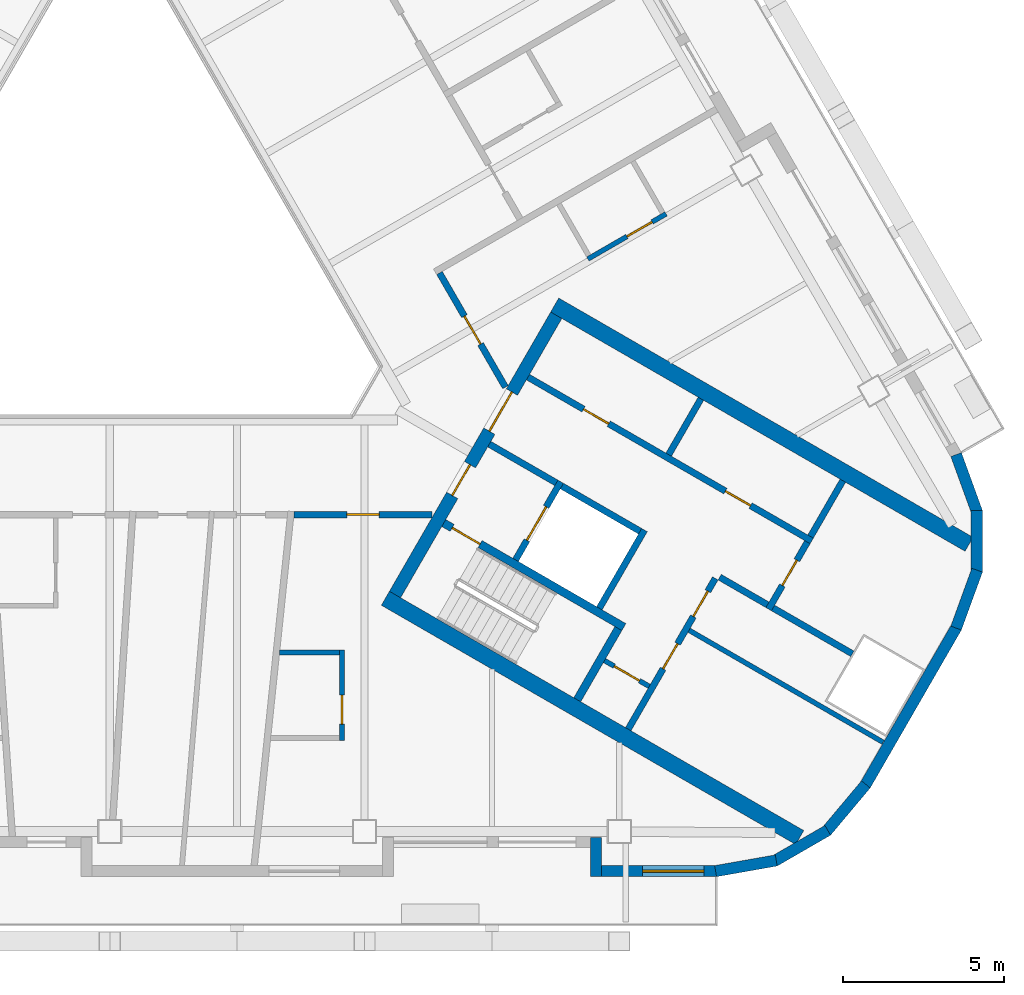
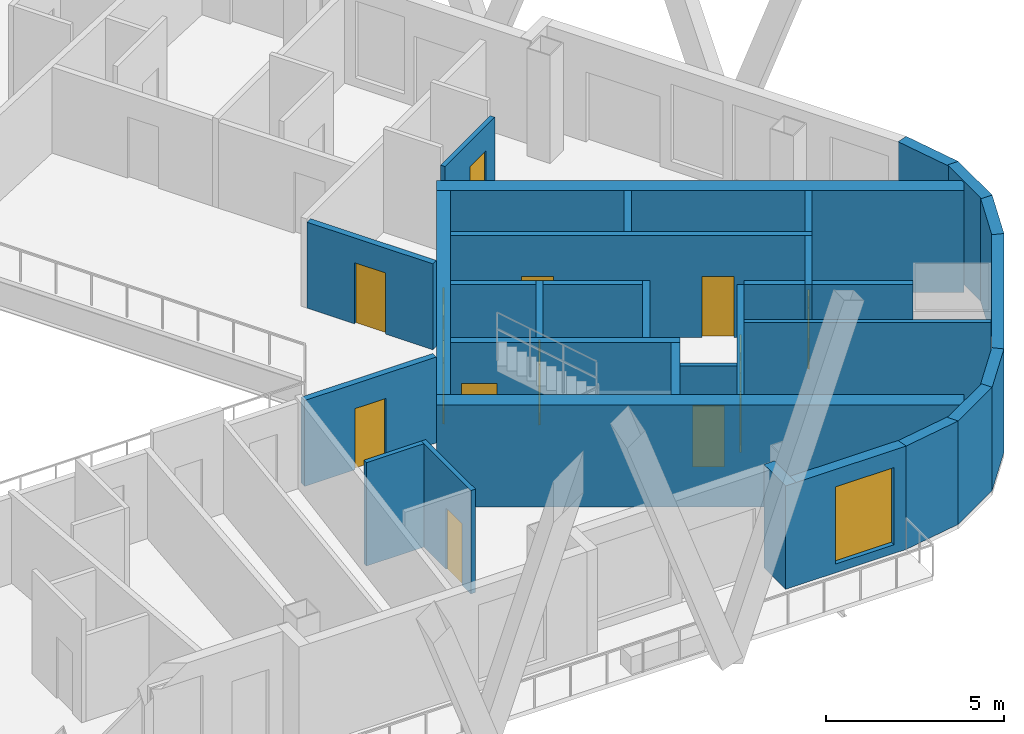
# One storey, part 5 of 14: 32 walls, 14 doors, 1 window, 15 openings.
"""IFC4 building model written with IfcOpenShell, lengths in metres."""

from ifc_helpers import new_model, si_unit, direction, frame, frame_2d, origin, place, context, subcontext, project, spatial, rectangle, extrude, material, layer, layer_set, type_object, element, fill, save


model = new_model("IFC4")

# Units and contexts
model_context = context("Model", 3, precision=1e-05, world=origin(), true_north=direction((0.0, 1.0)))
body_context = subcontext(model_context, "Body", "Model", "MODEL_VIEW")
ifc_project = project(units=[si_unit("LENGTHUNIT", "METRE"), si_unit("AREAUNIT", "SQUARE_METRE"), si_unit("VOLUMEUNIT", "CUBIC_METRE"), si_unit("PLANEANGLEUNIT", "RADIAN"), si_unit("MASSUNIT", "GRAM", prefix="KILO")], contexts=[model_context])

# Site, building, storey
site_placement = place(None, origin())
site = spatial("IfcSite", under=ifc_project, at=site_placement, CompositionType="ELEMENT")
building_placement = place(site_placement, origin())
building = spatial("IfcBuilding", under=site, at=building_placement, Name="Apuvela Tower Hotel", CompositionType="ELEMENT")
storey_placement = place(building_placement, frame((0.0, 0.0, 202.10009765625)))
storey = spatial("IfcBuildingStorey", under=building, at=storey_placement, Name="L49", CompositionType="ELEMENT", Elevation=202.10009765625)

# Wall, openings, doors
ifc_material_1 = material(Name="Concrete C50/60", Category="concrete")
ifc_layer_1 = layer(ifc_material_1, 0.39990234375)
ifc_layer_set_1 = layer_set([ifc_layer_1], Name="COR-WALL-CORE-400")
wall_type_1 = type_object("IfcWallType", Name="COR-WALL-CORE-400", PredefinedType="SHEAR", material=ifc_layer_set_1)
wall_1_placement = place(storey_placement, frame((8.844970703125, -10.880126953125, 0.0), z_axis=(0.0, 0.0, 1.0), x_axis=(0.500004234368, 0.866022959057, 0.0)))
wall_1 = element("IfcWall", 1, at=wall_1_placement, inside=storey, type_object=wall_type_1, Name="Core wall SE", PredefinedType="SHEAR", context=body_context, shape_type="SweptSolid", body=[
    extrude(rectangle(XDim=10.0, YDim=0.39990234375, at=frame_2d((5.0, 0.0))), origin(), (0.0, 0.0, 1.0), 3.5),
])
opening_1_placement = place(wall_1_placement, frame((3.550048828125, 0.0, 0.0)))
opening_1 = element("IfcOpeningElement", 2, at=opening_1_placement, cuts=wall_1, Name="Opening E-FD", PredefinedType="OPENING", context=body_context, shape_type="SweptSolid", body=[
    extrude(rectangle(XDim=1.10009765625, YDim=2.10009765625, at=frame_2d((0.550048828125, 1.050048828125))), frame((0.0, 0.2099609375, 0.0), z_axis=(0.0, -1.0, 0.0), x_axis=(1.0, 0.0, 0.0)), (0.0, 0.0, 1.0), 0.419921875),
])
opening_2_placement = place(wall_1_placement, frame((5.85009765625, 0.0, 0.0)))
opening_2 = element("IfcOpeningElement", 3, at=opening_2_placement, cuts=wall_1, Name="Opening E-GD", PredefinedType="OPENING", context=body_context, shape_type="SweptSolid", body=[
    extrude(rectangle(XDim=1.39990234375, YDim=2.10009765625, at=frame_2d((0.699951171875, 1.050048828125))), frame((0.0, 0.2099609375, 0.0), z_axis=(0.0, -1.0, 0.0), x_axis=(1.0, 0.0, 0.0)), (0.0, 0.0, 1.0), 0.419921875),
])
ifc_material_2 = material(Name="Steel fire door, powder coated", Category="steel")
door_type_1 = type_object("IfcDoorType", Name="COR-FD-1100", OperationType="NOTDEFINED", PredefinedType="DOOR", material=ifc_material_2)
door_1_placement = place(opening_1_placement, frame((1.10009765625, 0.0, 0.0), z_axis=(0.0, 0.0, 1.0), x_axis=(-1.0, 0.0, 0.0)))
door_1 = element("IfcDoor", 4, at=door_1_placement, inside=storey, type_object=door_type_1, Name="Firefighting lobby door E-FD", OperationType="SINGLE_SWING_LEFT", OverallHeight=2.10009765625, OverallWidth=1.10009765625, PredefinedType="DOOR", context=body_context, shape_type="SweptSolid", body=[
    extrude(rectangle(XDim=1.10009765625, YDim=2.10009765625, at=frame_2d((0.550048828125, 1.050048828125))), frame((0.0, 0.02490234375, 0.0), z_axis=(0.0, -1.0, 0.0), x_axis=(1.0, 0.0, 0.0)), (0.0, 0.0, 1.0), 0.050048828125),
])
fill(opening_1, door_1)
ifc_material_3 = material(Name="Glazed steel fire door", Category="steel")
door_type_2 = type_object("IfcDoorType", Name="COR-GD-1400", OperationType="DOUBLE_DOOR_SINGLE_SWING", PredefinedType="DOOR", material=ifc_material_3)
door_2_placement = place(opening_2_placement, frame((1.39990234375, 0.0, 0.0), z_axis=(0.0, 0.0, 1.0), x_axis=(-1.0, 0.0, 0.0)))
door_2 = element("IfcDoor", 5, at=door_2_placement, inside=storey, type_object=door_type_2, Name="Lift lobby door E-GD", OperationType="DOUBLE_DOOR_SINGLE_SWING", OverallHeight=2.10009765625, OverallWidth=1.39990234375, PredefinedType="DOOR", context=body_context, shape_type="SweptSolid", body=[
    extrude(rectangle(XDim=1.39990234375, YDim=2.10009765625, at=frame_2d((0.699951171875, 1.050048828125))), frame((0.0, 0.02490234375, 0.0), z_axis=(0.0, -1.0, 0.0), x_axis=(1.0, 0.0, 0.0)), (0.0, 0.0, 1.0), 0.050048828125),
])
fill(opening_2, door_2)

# Walls
ifc_layer_2 = layer(ifc_material_1, 0.5)
ifc_layer_set_2 = layer_set([ifc_layer_2], Name="COR-WALL-CORE-500")
wall_type_2 = type_object("IfcWallType", Name="COR-WALL-CORE-500", PredefinedType="SHEAR", material=ifc_layer_set_2)
for number, where, z_axis, x_axis, name in (
    (6, (8.546630859375, -10.99658203125, 0.0), (0.0, 0.0, 1.0), (0.866025009528, -0.500000682871, 0.0), "Core wall SE"),
    (7, (13.796630859375, -1.9033203125, 0.0), (0.0, 0.0, 1.0), (0.866025009528, -0.500000682871, 0.0), "Core wall SE"),
):
    element("IfcWall", number, at=place(storey_placement, frame(where, z_axis=z_axis, x_axis=x_axis)), inside=storey, type_object=wall_type_2, Name=name, PredefinedType="SHEAR", context=body_context, shape_type="SweptSolid", body=[
        extrude(rectangle(XDim=14.8369140625, YDim=0.5, at=frame_2d((7.41845703125, 0.0))), origin(), (0.0, 0.0, 1.0), 3.5),
    ])

# Wall, opening, door
ifc_material_4 = material(Name="Blockwork 150 mm plastered", Category="masonry")
ifc_layer_3 = layer(ifc_material_4, 0.14990234375)
ifc_layer_set_3 = layer_set([ifc_layer_3], Name="COR-WALL-PART-150")
wall_type_3 = type_object("IfcWallType", Name="COR-WALL-PART-150", PredefinedType="PARTITIONING", material=ifc_layer_set_3)
wall_2_placement = place(storey_placement, frame((15.341552734375, -12.927734375, 0.0), z_axis=(0.0, 0.0, 1.0), x_axis=(0.865989903783, -0.500061482766, 0.0)))
wall_2 = element("IfcWall", 8, at=wall_2_placement, inside=storey, type_object=wall_type_3, Name="Partition SE", PredefinedType="PARTITIONING", context=body_context, shape_type="SweptSolid", body=[
    extrude(rectangle(XDim=1.599853515625, YDim=0.14990234375, at=frame_2d((0.7998046875, 0.0))), origin(), (0.0, 0.0, 1.0), 3.5),
])
opening_3_placement = place(wall_2_placement, frame((0.35009765625, 0.0, 0.0)))
opening_3 = element("IfcOpeningElement", 9, at=opening_3_placement, cuts=wall_2, Name="Opening E-RD", PredefinedType="OPENING", context=body_context, shape_type="SweptSolid", body=[
    extrude(rectangle(XDim=0.89990234375, YDim=2.10009765625, at=frame_2d((0.449951171875, 1.050048828125))), frame((0.0, 0.0849609375, 0.0), z_axis=(0.0, -1.0, 0.0), x_axis=(1.0, 0.0, 0.0)), (0.0, 0.0, 1.0), 0.169921875),
])
ifc_material_5 = material(Name="Steel access door, powder coated", Category="steel")
door_type_3 = type_object("IfcDoorType", Name="COR-RD-900", OperationType="NOTDEFINED", PredefinedType="DOOR", material=ifc_material_5)
door_3_placement = place(opening_3_placement, frame((0.89990234375, 0.0, 0.0), z_axis=(0.0, 0.0, 1.0), x_axis=(-1.0, 0.0, 0.0)))
door_3 = element("IfcDoor", 10, at=door_3_placement, inside=storey, type_object=door_type_3, Name="Riser door E-RD", OperationType="SINGLE_SWING_LEFT", OverallHeight=2.10009765625, OverallWidth=0.89990234375, PredefinedType="DOOR", context=body_context, shape_type="SweptSolid", body=[
    extrude(rectangle(XDim=0.89990234375, YDim=2.10009765625, at=frame_2d((0.449951171875, 1.050048828125))), frame((0.0, 0.02490234375, 0.0), z_axis=(0.0, -1.0, 0.0), x_axis=(1.0, 0.0, 0.0)), (0.0, 0.0, 1.0), 0.050048828125),
])
fill(opening_3, door_3)

# Wall
wall_3_placement = place(storey_placement, frame((17.962890625, -11.9873046875, 0.0), z_axis=(0.0, 0.0, 1.0), x_axis=(0.866016523273, -0.500015381182, 0.0)))
element("IfcWall", 11, at=wall_3_placement, inside=storey, type_object=wall_type_3, Name="Partition SE", PredefinedType="PARTITIONING", context=body_context, shape_type="SweptSolid", body=[
    extrude(rectangle(XDim=6.949951171875, YDim=0.14990234375, at=frame_2d((3.47509765625, 0.0))), origin(), (0.0, 0.0, 1.0), 3.5),
])

# Wall, openings, doors
ifc_material_6 = material(Name="Blockwork 200 mm plastered", Category="masonry")
ifc_layer_4 = layer(ifc_material_6, 0.199951171875)
ifc_layer_set_4 = layer_set([ifc_layer_4], Name="COR-WALL-PART-200")
wall_type_4 = type_object("IfcWallType", Name="COR-WALL-PART-200", PredefinedType="PARTITIONING", material=ifc_layer_set_4)
wall_4_placement = place(storey_placement, frame((16.076171875, -15.05517578125, 0.0), z_axis=(0.0, 0.0, 1.0), x_axis=(0.499995103361, 0.866028230842, 0.0)))
wall_4 = element("IfcWall", 12, at=wall_4_placement, inside=storey, type_object=wall_type_4, Name="Partition SE", PredefinedType="PARTITIONING", context=body_context, shape_type="SweptSolid", body=[
    extrude(rectangle(XDim=5.39990234375, YDim=0.199951171875, at=frame_2d((2.699951171875, 0.0))), origin(), (0.0, 0.0, 1.0), 3.5),
])
opening_4_placement = place(wall_4_placement, frame((2.16259765625, 0.0, 0.0)))
opening_4 = element("IfcOpeningElement", 13, at=opening_4_placement, cuts=wall_4, Name="Opening E-RS1", PredefinedType="OPENING", context=body_context, shape_type="SweptSolid", body=[
    extrude(rectangle(XDim=0.89990234375, YDim=2.10009765625, at=frame_2d((0.449951171875, 1.050048828125))), frame((0.0, 0.10986328125, 0.0), z_axis=(0.0, -1.0, 0.0), x_axis=(1.0, 0.0, 0.0)), (0.0, 0.0, 1.0), 0.219970703125),
])
opening_5_placement = place(wall_4_placement, frame((4.03759765625, 0.0, 0.0)))
opening_5 = element("IfcOpeningElement", 14, at=opening_5_placement, cuts=wall_4, Name="Opening E-RS2", PredefinedType="OPENING", context=body_context, shape_type="SweptSolid", body=[
    extrude(rectangle(XDim=0.89990234375, YDim=2.10009765625, at=frame_2d((0.449951171875, 1.050048828125))), frame((0.0, 0.10986328125, 0.0), z_axis=(0.0, -1.0, 0.0), x_axis=(1.0, 0.0, 0.0)), (0.0, 0.0, 1.0), 0.219970703125),
])
door_type_4 = type_object("IfcDoorType", Name="COR-DR-900", OperationType="NOTDEFINED", PredefinedType="DOOR", material=ifc_material_2)
door_4_placement = place(opening_4_placement, frame((0.89990234375, 0.0, 0.0), z_axis=(0.0, 0.0, 1.0), x_axis=(-1.0, 0.0, 0.0)))
door_4 = element("IfcDoor", 15, at=door_4_placement, inside=storey, type_object=door_type_4, Name="Store door E-RS1", OperationType="SINGLE_SWING_LEFT", OverallHeight=2.10009765625, OverallWidth=0.89990234375, PredefinedType="DOOR", context=body_context, shape_type="SweptSolid", body=[
    extrude(rectangle(XDim=0.89990234375, YDim=2.10009765625, at=frame_2d((0.449951171875, 1.050048828125))), frame((0.0, 0.02490234375, 0.0), z_axis=(0.0, -1.0, 0.0), x_axis=(1.0, 0.0, 0.0)), (0.0, 0.0, 1.0), 0.050048828125),
])
fill(opening_4, door_4)
door_5_placement = place(opening_5_placement, frame((0.89990234375, 0.0, 0.0), z_axis=(0.0, 0.0, 1.0), x_axis=(-1.0, 0.0, 0.0)))
door_5 = element("IfcDoor", 16, at=door_5_placement, inside=storey, type_object=door_type_4, Name="Store door E-RS2", OperationType="SINGLE_SWING_LEFT", OverallHeight=2.10009765625, OverallWidth=0.89990234375, PredefinedType="DOOR", context=body_context, shape_type="SweptSolid", body=[
    extrude(rectangle(XDim=0.89990234375, YDim=2.10009765625, at=frame_2d((0.449951171875, 1.050048828125))), frame((0.0, 0.02490234375, 0.0), z_axis=(0.0, -1.0, 0.0), x_axis=(1.0, 0.0, 0.0)), (0.0, 0.0, 1.0), 0.050048828125),
])
fill(opening_5, door_5)

# Wall
ifc_layer_5 = layer(ifc_material_1, 0.199951171875)
ifc_layer_set_5 = layer_set([ifc_layer_5], Name="COR-WALL-SHAFT-200")
wall_type_5 = type_object("IfcWallType", Name="COR-WALL-SHAFT-200", PredefinedType="SHEAR", material=ifc_layer_set_5)
wall_5_placement = place(storey_placement, frame((15.181396484375, -11.305419921875, 0.0), z_axis=(0.0, 0.0, 1.0), x_axis=(0.49994636267, 0.866056369097, 0.0)))
element("IfcWall", 17, at=wall_5_placement, inside=storey, type_object=wall_type_5, Name="Shaft wall SE", PredefinedType="SHEAR", context=body_context, shape_type="SweptSolid", body=[
    extrude(rectangle(XDim=2.800048828125, YDim=0.199951171875, at=frame_2d((1.39990234375, 0.0))), origin(), (0.0, 0.0, 1.0), 3.5),
])

# Wall, opening, door
wall_6_placement = place(storey_placement, frame((12.583251953125, -9.805419921875, 0.0), z_axis=(0.0, 0.0, 1.0), x_axis=(0.49994636267, 0.866056369097, 0.0)))
wall_6 = element("IfcWall", 18, at=wall_6_placement, inside=storey, type_object=wall_type_5, Name="Shaft wall SE", PredefinedType="SHEAR", context=body_context, shape_type="SweptSolid", body=[
    extrude(rectangle(XDim=2.800048828125, YDim=0.199951171875, at=frame_2d((1.39990234375, 0.0))), origin(), (0.0, 0.0, 1.0), 3.5),
])
opening_6_placement = place(wall_6_placement, frame((0.699951171875, 0.0, 0.0)))
opening_6 = element("IfcOpeningElement", 19, at=opening_6_placement, cuts=wall_6, Name="Opening E-LD-FS3", PredefinedType="OPENING", context=body_context, shape_type="SweptSolid", body=[
    extrude(rectangle(XDim=1.199951171875, YDim=2.10009765625, at=frame_2d((0.60009765625, 1.050048828125))), frame((0.0, 0.10986328125, 0.0), z_axis=(0.0, -1.0, 0.0), x_axis=(1.0, 0.0, 0.0)), (0.0, 0.0, 1.0), 0.219970703125),
])
ifc_material_7 = material(Name="Stainless steel lift landing door", Category="steel")
door_type_5 = type_object("IfcDoorType", Name="COR-LD-1200", OperationType="DOUBLE_DOOR_SLIDING", PredefinedType="DOOR", material=ifc_material_7)
door_6_placement = place(opening_6_placement, origin())
door_6 = element("IfcDoor", 20, at=door_6_placement, inside=storey, type_object=door_type_5, Name="Lift landing door E-LD-FS3", OperationType="DOUBLE_DOOR_SLIDING", OverallHeight=2.10009765625, OverallWidth=1.199951171875, PredefinedType="DOOR", context=body_context, shape_type="SweptSolid", body=[
    extrude(rectangle(XDim=1.199951171875, YDim=2.10009765625, at=frame_2d((0.60009765625, 1.050048828125))), frame((0.0, 0.02490234375, 0.0), z_axis=(0.0, -1.0, 0.0), x_axis=(1.0, 0.0, 0.0)), (0.0, 0.0, 1.0), 0.050048828125),
])
fill(opening_6, door_6)

# Walls
wall_7_placement = place(storey_placement, frame((11.76806640625, -6.217041015625, 0.0), z_axis=(0.0, 0.0, 1.0), x_axis=(0.866050077142, -0.499957262057, 0.0)))
element("IfcWall", 21, at=wall_7_placement, inside=storey, type_object=wall_type_5, Name="Shaft wall SE", PredefinedType="SHEAR", context=body_context, shape_type="SweptSolid", body=[
    extrude(rectangle(XDim=2.400146484375, YDim=0.199951171875, at=frame_2d((1.2001953125, 0.0))), origin(), (0.0, 0.0, 1.0), 3.5),
])
wall_8_placement = place(storey_placement, frame((14.019775390625, -7.51708984375, 0.0), z_axis=(0.0, 0.0, 1.0), x_axis=(0.866034573852, -0.49998411664, 0.0)))
element("IfcWall", 22, at=wall_8_placement, inside=storey, type_object=wall_type_5, Name="Shaft wall SE", PredefinedType="SHEAR", context=body_context, shape_type="SweptSolid", body=[
    extrude(rectangle(XDim=2.7998046875, YDim=0.199951171875, at=frame_2d((1.39990234375, 0.0))), origin(), (0.0, 0.0, 1.0), 3.5),
])

# Wall, openings, doors
wall_9_placement = place(storey_placement, frame((12.968017578125, -4.138427734375, 0.0), z_axis=(0.0, 0.0, 1.0), x_axis=(0.866028328073, -0.49999493495, 0.0)))
wall_9 = element("IfcWall", 23, at=wall_9_placement, inside=storey, type_object=wall_type_5, Name="Shaft wall SE", PredefinedType="SHEAR", context=body_context, shape_type="SweptSolid", body=[
    extrude(rectangle(XDim=10.16015625, YDim=0.199951171875, at=frame_2d((5.080078125, 0.0))), origin(), (0.0, 0.0, 1.0), 3.5),
])
opening_7_placement = place(wall_9_placement, frame((1.989990234375, 0.0, 0.0)))
opening_7 = element("IfcOpeningElement", 24, at=opening_7_placement, cuts=wall_9, Name="Opening E-RE1", PredefinedType="OPENING", context=body_context, shape_type="SweptSolid", body=[
    extrude(rectangle(XDim=0.89990234375, YDim=2.10009765625, at=frame_2d((0.449951171875, 1.050048828125))), frame((0.0, 0.10986328125, 0.0), z_axis=(0.0, -1.0, 0.0), x_axis=(1.0, 0.0, 0.0)), (0.0, 0.0, 1.0), 0.219970703125),
])
opening_8_placement = place(wall_9_placement, frame((7.070068359375, 0.0, 0.0)))
opening_8 = element("IfcOpeningElement", 25, at=opening_8_placement, cuts=wall_9, Name="Opening E-RE3", PredefinedType="OPENING", context=body_context, shape_type="SweptSolid", body=[
    extrude(rectangle(XDim=0.89990234375, YDim=2.10009765625, at=frame_2d((0.449951171875, 1.050048828125))), frame((0.0, 0.10986328125, 0.0), z_axis=(0.0, -1.0, 0.0), x_axis=(1.0, 0.0, 0.0)), (0.0, 0.0, 1.0), 0.219970703125),
])
door_7_placement = place(opening_7_placement, origin())
door_7 = element("IfcDoor", 26, at=door_7_placement, inside=storey, type_object=door_type_4, Name="Store door E-RE1", OperationType="SINGLE_SWING_LEFT", OverallHeight=2.10009765625, OverallWidth=0.89990234375, PredefinedType="DOOR", context=body_context, shape_type="SweptSolid", body=[
    extrude(rectangle(XDim=0.89990234375, YDim=2.10009765625, at=frame_2d((0.449951171875, 1.050048828125))), frame((0.0, 0.02490234375, 0.0), z_axis=(0.0, -1.0, 0.0), x_axis=(1.0, 0.0, 0.0)), (0.0, 0.0, 1.0), 0.050048828125),
])
fill(opening_7, door_7)
door_8_placement = place(opening_8_placement, origin())
door_8 = element("IfcDoor", 27, at=door_8_placement, inside=storey, type_object=door_type_4, Name="Store door E-RE3", OperationType="SINGLE_SWING_LEFT", OverallHeight=2.10009765625, OverallWidth=0.89990234375, PredefinedType="DOOR", context=body_context, shape_type="SweptSolid", body=[
    extrude(rectangle(XDim=0.89990234375, YDim=2.10009765625, at=frame_2d((0.449951171875, 1.050048828125))), frame((0.0, 0.02490234375, 0.0), z_axis=(0.0, -1.0, 0.0), x_axis=(1.0, 0.0, 0.0)), (0.0, 0.0, 1.0), 0.050048828125),
])
fill(opening_8, door_8)

# Wall, opening, door
wall_10_placement = place(storey_placement, frame((20.430419921875, -11.33349609375, 0.0), z_axis=(0.0, 0.0, 1.0), x_axis=(0.500001309137, 0.866024647952, 0.0)))
wall_10 = element("IfcWall", 28, at=wall_10_placement, inside=storey, type_object=wall_type_5, Name="Shaft wall SE", PredefinedType="SHEAR", context=body_context, shape_type="SweptSolid", body=[
    extrude(rectangle(XDim=2.39990234375, YDim=0.199951171875, at=frame_2d((1.199951171875, 0.0))), origin(), (0.0, 0.0, 1.0), 3.5),
])
opening_9_placement = place(wall_10_placement, frame((0.85009765625, 0.0, 0.0)))
opening_9 = element("IfcOpeningElement", 29, at=opening_9_placement, cuts=wall_10, Name="Opening E-REP", PredefinedType="OPENING", context=body_context, shape_type="SweptSolid", body=[
    extrude(rectangle(XDim=0.89990234375, YDim=2.10009765625, at=frame_2d((0.449951171875, 1.050048828125))), frame((0.0, 0.10986328125, 0.0), z_axis=(0.0, -1.0, 0.0), x_axis=(1.0, 0.0, 0.0)), (0.0, 0.0, 1.0), 0.219970703125),
])
door_9_placement = place(opening_9_placement, frame((0.89990234375, 0.0, 0.0), z_axis=(0.0, 0.0, 1.0), x_axis=(-1.0, 0.0, 0.0)))
door_9 = element("IfcDoor", 30, at=door_9_placement, inside=storey, type_object=door_type_4, Name="Store door E-REP", OperationType="SINGLE_SWING_RIGHT", OverallHeight=2.10009765625, OverallWidth=0.89990234375, PredefinedType="DOOR", context=body_context, shape_type="SweptSolid", body=[
    extrude(rectangle(XDim=0.89990234375, YDim=2.10009765625, at=frame_2d((0.449951171875, 1.050048828125))), frame((0.0, 0.02490234375, 0.0), z_axis=(0.0, -1.0, 0.0), x_axis=(1.0, 0.0, 0.0)), (0.0, 0.0, 1.0), 0.050048828125),
])
fill(opening_9, door_9)

# Walls
wall_11_placement = place(storey_placement, frame((18.912841796875, -10.342041015625, 0.0), z_axis=(0.0, 0.0, 1.0), x_axis=(0.866038183914, -0.499977863513, 0.0)))
element("IfcWall", 31, at=wall_11_placement, inside=storey, type_object=wall_type_5, Name="Shaft wall SE", PredefinedType="SHEAR", context=body_context, shape_type="SweptSolid", body=[
    extrude(rectangle(XDim=1.7099609375, YDim=0.199951171875, at=frame_2d((0.85498046875, 0.0))), origin(), (0.0, 0.0, 1.0), 3.5),
])
for number, where, z_axis, x_axis, name in (
    (32, (17.330810546875, -6.5419921875, 0.0), (0.0, 0.0, 1.0), (0.499972520799, 0.866041268327, 0.0), "Shaft wall SE"),
    (33, (21.73046875, -9.081787109375, 0.0), (0.0, 0.0, 1.0), (0.50002537861, 0.866010750942, 0.0), "Shaft wall SE"),
):
    element("IfcWall", number, at=place(storey_placement, frame(where, z_axis=z_axis, x_axis=x_axis)), inside=storey, type_object=wall_type_5, Name=name, PredefinedType="SHEAR", context=body_context, shape_type="SweptSolid", body=[
        extrude(rectangle(XDim=2.0, YDim=0.199951171875, at=frame_2d((1.0, 0.0))), origin(), (0.0, 0.0, 1.0), 3.5),
    ])
wall_12_placement = place(storey_placement, frame((20.56689453125, -11.297119140625, 0.0), z_axis=(0.0, 0.0, 1.0), x_axis=(0.866055327414, -0.49994816717, 0.0)))
element("IfcWall", 34, at=wall_12_placement, inside=storey, type_object=wall_type_5, Name="Shaft wall SE", PredefinedType="SHEAR", context=body_context, shape_type="SweptSolid", body=[
    extrude(rectangle(XDim=2.840087890625, YDim=0.199951171875, at=frame_2d((1.419921875, 0.0))), origin(), (0.0, 0.0, 1.0), 3.5),
])

# Wall, opening, door
ifc_layer_6 = layer(ifc_material_1, 0.25)
ifc_layer_set_6 = layer_set([ifc_layer_6], Name="COR-WALL-STAIR-250")
wall_type_6 = type_object("IfcWallType", Name="COR-WALL-STAIR-250", PredefinedType="SHEAR", material=ifc_layer_set_6)
wall_13_placement = place(storey_placement, frame((10.355712890625, -8.66357421875, 0.0), z_axis=(0.0, 0.0, 1.0), x_axis=(0.866028629588, -0.499994412703, 0.0)))
wall_13 = element("IfcWall", 35, at=wall_13_placement, inside=storey, type_object=wall_type_6, Name="Stair wall SE", PredefinedType="SHEAR", context=body_context, shape_type="SweptSolid", body=[
    extrude(rectangle(XDim=6.44970703125, YDim=0.25, at=frame_2d((3.224853515625, 0.0))), origin(), (0.0, 0.0, 1.0), 3.5),
])
opening_10_placement = place(wall_13_placement, frame((0.300048828125, 0.0, 0.0)))
opening_10 = element("IfcOpeningElement", 36, at=opening_10_placement, cuts=wall_13, Name="Opening E-SD", PredefinedType="OPENING", context=body_context, shape_type="SweptSolid", body=[
    extrude(rectangle(XDim=1.0, YDim=2.10009765625, at=frame_2d((0.5, 1.050048828125))), frame((0.0, 0.135009765625, 0.0), z_axis=(0.0, -1.0, 0.0), x_axis=(1.0, 0.0, 0.0)), (0.0, 0.0, 1.0), 0.27001953125),
])
door_type_6 = type_object("IfcDoorType", Name="COR-SD-1000", OperationType="NOTDEFINED", PredefinedType="DOOR", material=ifc_material_2)
door_10_placement = place(opening_10_placement, frame((1.0, 0.0, 0.0), z_axis=(0.0, 0.0, 1.0), x_axis=(-1.0, 0.0, 0.0)))
door_10 = element("IfcDoor", 37, at=door_10_placement, inside=storey, type_object=door_type_6, Name="Stair door E-SD", OperationType="SINGLE_SWING_LEFT", OverallHeight=2.10009765625, OverallWidth=1.0, PredefinedType="DOOR", context=body_context, shape_type="SweptSolid", body=[
    extrude(rectangle(XDim=1.0, YDim=2.10009765625, at=frame_2d((0.5, 1.050048828125))), frame((0.0, 0.02490234375, 0.0), z_axis=(0.0, -1.0, 0.0), x_axis=(1.0, 0.0, 0.0)), (0.0, 0.0, 1.0), 0.050048828125),
])
fill(opening_10, door_10)

# Walls
wall_14_placement = place(storey_placement, frame((14.49560546875, -14.142578125, 0.0), z_axis=(0.0, 0.0, 1.0), x_axis=(0.500062241894, 0.865989465428, 0.0)))
element("IfcWall", 38, at=wall_14_placement, inside=storey, type_object=wall_type_6, Name="Stair wall SE", PredefinedType="SHEAR", context=body_context, shape_type="SweptSolid", body=[
    extrude(rectangle(XDim=2.550048828125, YDim=0.25, at=frame_2d((1.27490234375, 0.0))), origin(), (0.0, 0.0, 1.0), 3.5),
])
ifc_material_8 = material(Name="Concrete C40/50, dark pigmented precast panel", Category="concrete")
ifc_layer_7 = layer(ifc_material_8, 0.35009765625)
ifc_layer_set_7 = layer_set([ifc_layer_7], Name="ENV-WALL-350")
wall_type_7 = type_object("IfcWallType", Name="ENV-WALL-350", PredefinedType="SOLIDWALL", material=ifc_layer_set_7)
wall_15_placement = place(storey_placement, frame((15.074951171875, -18.409912109375, 0.0), z_axis=(0.0, 0.0, 1.0), x_axis=(0.0, -1.0, 0.0)))
element("IfcWall", 39, at=wall_15_placement, inside=storey, type_object=wall_type_7, Name="External wall L49-24", PredefinedType="SOLIDWALL", context=body_context, shape_type="SweptSolid", body=[
    extrude(rectangle(XDim=1.219970703125, YDim=0.35009765625, at=frame_2d((0.60986328125, 0.0))), origin(), (0.0, 0.0, 1.0), 3.5498046875),
])

# Wall, opening, window
wall_16_placement = place(storey_placement, frame((14.89990234375, -19.455078125, 0.0), z_axis=(0.0, 0.0, 1.0), x_axis=(1.0, 0.0, 0.0)))
wall_16 = element("IfcWall", 40, at=wall_16_placement, inside=storey, type_object=wall_type_7, Name="External wall L49-25", PredefinedType="SOLIDWALL", context=body_context, shape_type="SweptSolid", body=[
    extrude(rectangle(XDim=3.916015625, YDim=0.35009765625, at=frame_2d((1.9580078125, 0.0))), origin(), (0.0, 0.0, 1.0), 3.5498046875),
])
opening_11_placement = place(wall_16_placement, frame((1.624755859375, 0.0, 0.300048828125)))
opening_11 = element("IfcOpeningElement", 41, at=opening_11_placement, cuts=wall_16, Name="Opening WN19", PredefinedType="OPENING", context=body_context, shape_type="SweptSolid", body=[
    extrude(rectangle(XDim=1.89990234375, YDim=2.64990234375, at=frame_2d((0.949951171875, 1.324951171875))), frame((0.0, 0.18505859375, 0.0), z_axis=(0.0, -1.0, 0.0), x_axis=(1.0, 0.0, 0.0)), (0.0, 0.0, 1.0), 0.3701171875),
])
ifc_material_9 = material(Name="Glass, dark tinted laminated insulated glazing unit", Category="glass")
window_type = type_object("IfcWindowType", Name="ENV-WIN-1900x2650", PartitioningType="SINGLE_PANEL", PredefinedType="WINDOW", material=ifc_material_9)
window_placement = place(opening_11_placement, origin())
window = element("IfcWindow", 42, at=window_placement, inside=storey, type_object=window_type, Name="Window WN19", OverallHeight=2.64990234375, OverallWidth=1.89990234375, PartitioningType="SINGLE_PANEL", PredefinedType="WINDOW", context=body_context, shape_type="SweptSolid", body=[
    extrude(rectangle(XDim=1.89990234375, YDim=2.64990234375, at=frame_2d((0.949951171875, 1.324951171875))), frame((0.0, 0.030029296875, 0.0), z_axis=(0.0, -1.0, 0.0), x_axis=(1.0, 0.0, 0.0)), (0.0, 0.0, 1.0), 0.06005859375),
])
fill(opening_11, window)

# Walls
wall_17_placement = place(storey_placement, frame((18.785400390625, -19.457763671875, 0.0), z_axis=(0.0, 0.0, 1.0), x_axis=(0.984798995425, 0.173697837091, 0.0)))
element("IfcWall", 43, at=wall_17_placement, inside=storey, type_object=wall_type_7, Name="External wall L49-26", PredefinedType="SOLIDWALL", context=body_context, shape_type="SweptSolid", body=[
    extrude(rectangle(XDim=1.91015625, YDim=0.35009765625, at=frame_2d((0.955078125, 0.0))), origin(), (0.0, 0.0, 1.0), 3.5498046875),
])
for number, where, z_axis, x_axis, name in (
    (44, (20.609619140625, -19.146728515625, 0.0), (0.0, 0.0, 1.0), (0.866000389056, 0.500043324278, 0.0), "External wall L49-27"),
    (45, (22.21728515625, -18.230712890625, 0.0), (0.0, 0.0, 1.0), (0.642733291068, 0.76609001857, 0.0), "External wall L49-28"),
):
    element("IfcWall", number, at=place(storey_placement, frame(where, z_axis=z_axis, x_axis=x_axis)), inside=storey, type_object=wall_type_7, Name=name, PredefinedType="SOLIDWALL", context=body_context, shape_type="SweptSolid", body=[
        extrude(rectangle(XDim=1.909912109375, YDim=0.35009765625, at=frame_2d((0.955078125, 0.0))), origin(), (0.0, 0.0, 1.0), 3.5498046875),
    ])
wall_18_placement = place(storey_placement, frame((23.427490234375, -16.79248046875, 0.0), z_axis=(0.0, 0.0, 1.0), x_axis=(0.500018773155, 0.866014564827, 0.0)))
element("IfcWall", 46, at=wall_18_placement, inside=storey, type_object=wall_type_7, Name="External wall L49-29", PredefinedType="SOLIDWALL", context=body_context, shape_type="SweptSolid", body=[
    extrude(rectangle(XDim=5.657958984375, YDim=0.35009765625, at=frame_2d((2.8291015625, 0.0))), origin(), (0.0, 0.0, 1.0), 3.5498046875),
])
for number, where, z_axis, x_axis, name in (
    (47, (26.24365234375, -11.920166015625, 0.0), (0.0, 0.0, 1.0), (0.342030395486, 0.939688889242, 0.0), "External wall L49-30"),
    (48, (26.88623046875, -10.18505859375, 0.0), (0.0, 0.0, 1.0), (0.0, 1.0, 0.0), "External wall L49-31"),
    (49, (26.89697265625, -8.334716796875, 0.0), (0.0, 0.0, 1.0), (-0.342030395486, 0.939688889242, 0.0), "External wall L49-32"),
):
    element("IfcWall", number, at=place(storey_placement, frame(where, z_axis=z_axis, x_axis=x_axis)), inside=storey, type_object=wall_type_7, Name=name, PredefinedType="SOLIDWALL", context=body_context, shape_type="SweptSolid", body=[
        extrude(rectangle(XDim=1.91015625, YDim=0.35009765625, at=frame_2d((0.955078125, 0.0))), origin(), (0.0, 0.0, 1.0), 3.5498046875),
    ])

# Wall, opening, door
ifc_material_10 = material(Name="Gypsum board corridor wall on twin steel stud, acoustic", Category="steel")
ifc_layer_8 = layer(ifc_material_10, 0.199951171875)
ifc_layer_set_8 = layer_set([ifc_layer_8], Name="GST-PW2")
wall_type_8 = type_object("IfcWallType", Name="GST-PW2", PredefinedType="PARTITIONING", material=ifc_layer_set_8)
wall_19_placement = place(storey_placement, frame((9.98828125, -8.39990234375, 0.0), z_axis=(0.0, 0.0, 1.0), x_axis=(-1.0, 0.0, 0.0)))
wall_19 = element("IfcWall", 50, at=wall_19_placement, inside=storey, type_object=wall_type_8, Name="L49 partition 21", PredefinedType="PARTITIONING", context=body_context, shape_type="SweptSolid", body=[
    extrude(rectangle(XDim=4.27734375, YDim=0.199951171875, at=frame_2d((2.138671875, 0.0))), origin(), (0.0, 0.0, 1.0), 2.949951171875),
])
opening_12_placement = place(wall_19_placement, frame((1.638671875, 0.0, 0.0)))
opening_12 = element("IfcOpeningElement", 51, at=opening_12_placement, cuts=wall_19, Name="Opening GD19-08", PredefinedType="OPENING", context=body_context, shape_type="SweptSolid", body=[
    extrude(rectangle(XDim=1.0, YDim=2.10009765625, at=frame_2d((0.5, 1.050048828125))), frame((0.0, 0.10986328125, 0.0), z_axis=(0.0, -1.0, 0.0), x_axis=(1.0, 0.0, 0.0)), (0.0, 0.0, 1.0), 0.219970703125),
])
ifc_material_11 = material(Name="Timber door leaf in steel frame", Category="steel")
door_type_7 = type_object("IfcDoorType", Name="GST-D1", OperationType="NOTDEFINED", PredefinedType="DOOR", material=ifc_material_11)
door_11_placement = place(opening_12_placement, origin())
door_11 = element("IfcDoor", 52, at=door_11_placement, inside=storey, type_object=door_type_7, Name="Door L49-08", OperationType="SINGLE_SWING_RIGHT", OverallHeight=2.10009765625, OverallWidth=1.0, PredefinedType="DOOR", context=body_context, shape_type="SweptSolid", body=[
    extrude(rectangle(XDim=1.0, YDim=2.10009765625, at=frame_2d((0.5, 1.050048828125))), frame((0.0, 0.02490234375, 0.0), z_axis=(0.0, -1.0, 0.0), x_axis=(1.0, 0.0, 0.0)), (0.0, 0.0, 1.0), 0.050048828125),
])
fill(opening_12, door_11)

wall_20_placement = place(storey_placement, frame((10.224609375, -0.909423828125, 0.0), z_axis=(0.0, 0.0, 1.0), x_axis=(0.500011931275, -0.86601851515, 0.0)))
wall_20 = element("IfcWall", 53, at=wall_20_placement, inside=storey, type_object=wall_type_8, Name="L49 partition 25", PredefinedType="PARTITIONING", context=body_context, shape_type="SweptSolid", body=[
    extrude(rectangle(XDim=4.08837890625, YDim=0.199951171875, at=frame_2d((2.044189453125, 0.0))), origin(), (0.0, 0.0, 1.0), 2.949951171875),
])
opening_13_placement = place(wall_20_placement, frame((1.544189453125, 0.0, 0.0)))
opening_13 = element("IfcOpeningElement", 54, at=opening_13_placement, cuts=wall_20, Name="Opening GD19-10", PredefinedType="OPENING", context=body_context, shape_type="SweptSolid", body=[
    extrude(rectangle(XDim=1.0, YDim=2.10009765625, at=frame_2d((0.5, 1.050048828125))), frame((0.0, 0.10986328125, 0.0), z_axis=(0.0, -1.0, 0.0), x_axis=(1.0, 0.0, 0.0)), (0.0, 0.0, 1.0), 0.219970703125),
])
door_12_placement = place(opening_13_placement, origin())
door_12 = element("IfcDoor", 55, at=door_12_placement, inside=storey, type_object=door_type_7, Name="Door L49-10", OperationType="SINGLE_SWING_LEFT", OverallHeight=2.10009765625, OverallWidth=1.0, PredefinedType="DOOR", context=body_context, shape_type="SweptSolid", body=[
    extrude(rectangle(XDim=1.0, YDim=2.10009765625, at=frame_2d((0.5, 1.050048828125))), frame((0.0, 0.02490234375, 0.0), z_axis=(0.0, -1.0, 0.0), x_axis=(1.0, 0.0, 0.0)), (0.0, 0.0, 1.0), 0.050048828125),
])
fill(opening_13, door_12)

ifc_material_12 = material(Name="Moisture-resistant gypsum board wet wall on steel stud", Category="steel")
ifc_layer_9 = layer(ifc_material_12, 0.14990234375)
ifc_layer_set_9 = layer_set([ifc_layer_9], Name="GST-PW3")
wall_type_9 = type_object("IfcWallType", Name="GST-PW3", PredefinedType="PARTITIONING", material=ifc_layer_set_9)
wall_21_placement = place(storey_placement, frame((7.19970703125, -15.39990234375, 0.0), z_axis=(0.0, 0.0, 1.0), x_axis=(0.0, 1.0, 0.0)))
wall_21 = element("IfcWall", 56, at=wall_21_placement, inside=storey, type_object=wall_type_9, Name="L49 partition 22", PredefinedType="PARTITIONING", context=body_context, shape_type="SweptSolid", body=[
    extrude(rectangle(XDim=2.7998046875, YDim=0.14990234375, at=frame_2d((1.39990234375, 0.0))), origin(), (0.0, 0.0, 1.0), 3.5498046875),
])
opening_14_placement = place(wall_21_placement, frame((0.5, 0.0, 0.0)))
opening_14 = element("IfcOpeningElement", 57, at=opening_14_placement, cuts=wall_21, Name="Opening GD19-07", PredefinedType="OPENING", context=body_context, shape_type="SweptSolid", body=[
    extrude(rectangle(XDim=0.89990234375, YDim=2.10009765625, at=frame_2d((0.449951171875, 1.050048828125))), frame((0.0, 0.0849609375, 0.0), z_axis=(0.0, -1.0, 0.0), x_axis=(1.0, 0.0, 0.0)), (0.0, 0.0, 1.0), 0.169921875),
])
door_type_8 = type_object("IfcDoorType", Name="GST-D2", OperationType="NOTDEFINED", PredefinedType="DOOR", material=ifc_material_11)
door_13_placement = place(opening_14_placement, origin())
door_13 = element("IfcDoor", 58, at=door_13_placement, inside=storey, type_object=door_type_8, Name="Door L49-07", OperationType="SINGLE_SWING_LEFT", OverallHeight=2.10009765625, OverallWidth=0.89990234375, PredefinedType="DOOR", context=body_context, shape_type="SweptSolid", body=[
    extrude(rectangle(XDim=0.89990234375, YDim=2.10009765625, at=frame_2d((0.449951171875, 1.050048828125))), frame((0.0, 0.02490234375, 0.0), z_axis=(0.0, -1.0, 0.0), x_axis=(1.0, 0.0, 0.0)), (0.0, 0.0, 1.0), 0.050048828125),
])
fill(opening_14, door_13)

# Wall
wall_22_placement = place(storey_placement, frame((5.266845703125, -12.675048828125, 0.0), z_axis=(0.0, 0.0, 1.0), x_axis=(1.0, 0.0, 0.0)))
element("IfcWall", 59, at=wall_22_placement, inside=storey, type_object=wall_type_9, Name="L49 partition 24", PredefinedType="PARTITIONING", context=body_context, shape_type="SweptSolid", body=[
    extrude(rectangle(XDim=1.857666015625, YDim=0.14990234375, at=frame_2d((0.9287109375, 0.0))), origin(), (0.0, 0.0, 1.0), 3.5498046875),
])

# Wall, opening, door
wall_23_placement = place(storey_placement, frame((14.824462890625, -0.4765625, 0.0), z_axis=(0.0, 0.0, 1.0), x_axis=(0.866034573852, 0.49998411664, 0.0)))
wall_23 = element("IfcWall", 60, at=wall_23_placement, inside=storey, type_object=wall_type_9, Name="L49 partition 26", PredefinedType="PARTITIONING", context=body_context, shape_type="SweptSolid", body=[
    extrude(rectangle(XDim=2.7998046875, YDim=0.14990234375, at=frame_2d((1.39990234375, 0.0))), origin(), (0.0, 0.0, 1.0), 2.949951171875),
])
opening_15_placement = place(wall_23_placement, frame((1.39990234375, 0.0, 0.0)))
opening_15 = element("IfcOpeningElement", 61, at=opening_15_placement, cuts=wall_23, Name="Opening GD19-09", PredefinedType="OPENING", context=body_context, shape_type="SweptSolid", body=[
    extrude(rectangle(XDim=0.89990234375, YDim=2.10009765625, at=frame_2d((0.449951171875, 1.050048828125))), frame((0.0, 0.0849609375, 0.0), z_axis=(0.0, -1.0, 0.0), x_axis=(1.0, 0.0, 0.0)), (0.0, 0.0, 1.0), 0.169921875),
])
door_14_placement = place(opening_15_placement, origin())
door_14 = element("IfcDoor", 62, at=door_14_placement, inside=storey, type_object=door_type_8, Name="Door L49-09", OperationType="SINGLE_SWING_RIGHT", OverallHeight=2.10009765625, OverallWidth=0.89990234375, PredefinedType="DOOR", context=body_context, shape_type="SweptSolid", body=[
    extrude(rectangle(XDim=0.89990234375, YDim=2.10009765625, at=frame_2d((0.449951171875, 1.050048828125))), frame((0.0, 0.02490234375, 0.0), z_axis=(0.0, -1.0, 0.0), x_axis=(1.0, 0.0, 0.0)), (0.0, 0.0, 1.0), 0.050048828125),
])
fill(opening_15, door_14)

save(model, "model.ifc")
